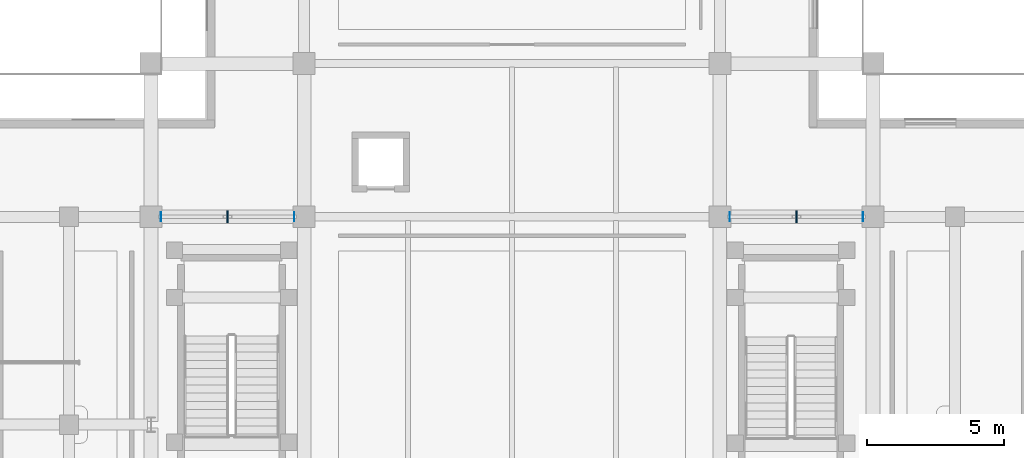
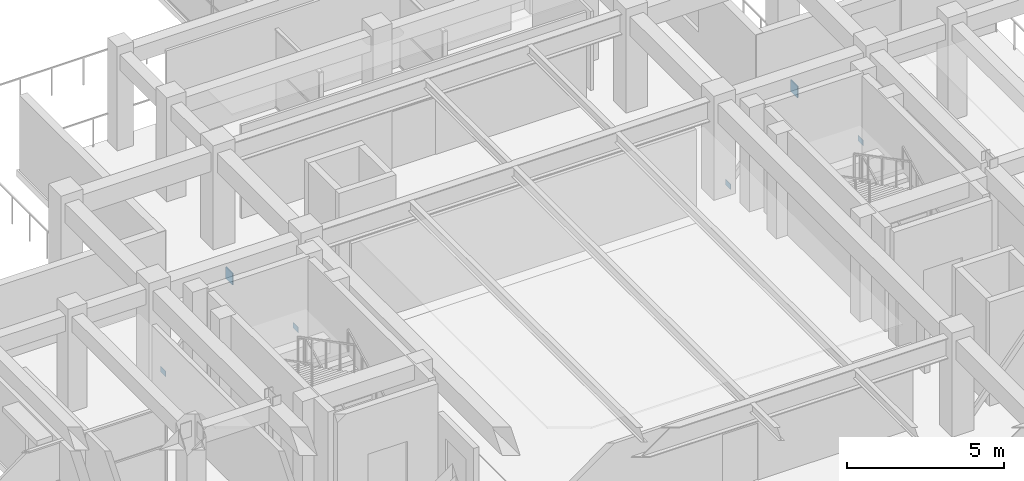
# One storey, part 46 of 72: 6 plates.
"""IFC4 building model written with IfcOpenShell, lengths in metres."""

from ifc_helpers import new_model, si_unit, direction, frame, origin, origin_2d, place, context, subcontext, project, spatial, rectangle, extrude, material, layer, layer_set, type_object, element, save


model = new_model("IFC4")

# Units and contexts
model_context = context("Model", 3, precision=1e-05, world=origin(), true_north=direction((0.0, 1.0)))
body_context = subcontext(model_context, "Body", "Model", "MODEL_VIEW")
ifc_project = project(units=[si_unit("LENGTHUNIT", "METRE"), si_unit("AREAUNIT", "SQUARE_METRE"), si_unit("VOLUMEUNIT", "CUBIC_METRE"), si_unit("PLANEANGLEUNIT", "RADIAN"), si_unit("MASSUNIT", "GRAM", prefix="KILO")], contexts=[model_context])

# Site, building, storey
site_placement = place(None, origin())
site = spatial("IfcSite", under=ifc_project, at=site_placement, CompositionType="ELEMENT")
building_placement = place(site_placement, origin())
building = spatial("IfcBuilding", under=site, at=building_placement, Name="Saryqyr Civic Hall", CompositionType="ELEMENT")
storey_placement = place(building_placement, frame((0.0, 0.0, 17.25)))
storey = spatial("IfcBuildingStorey", under=building, at=storey_placement, Name="L04", CompositionType="ELEMENT", Elevation=17.25)

# Plates
ifc_material = material(Name="Steel S355", Category="steel")
ifc_layer_1 = layer(ifc_material, 0.01611328125, Name="Steel S355")
ifc_layer_set_1 = layer_set([ifc_layer_1], Name="Steel S355")
plate_type_1 = type_object("IfcPlateType", Name="STR-PLT-CAP16", PredefinedType="USERDEFINED", material=ifc_layer_set_1)
for number, where, z_axis, x_axis, name in (
    (1, (44.159912109375, 91.60009765625, 0.01025390625), (0.0, 0.0, 1.0), (1.0, 0.0, 0.0), "Hollow section end cap V1-BRCAP-3A0-L04"),
    (2, (49.0400390625, 91.60009765625, 0.01025390625), (0.0, 0.0, 1.0), (1.0, 0.0, 0.0), "Hollow section end cap V1-BRCAP-3B0-L04"),
    (3, (64.9599609375, 91.60009765625, 0.01025390625), (0.0, 0.0, 1.0), (1.0, 0.0, 0.0), "Hollow section end cap V1-BRCAP-4A0-L04"),
    (4, (69.840087890625, 91.60009765625, 0.01025390625), (0.0, 0.0, 1.0), (1.0, 0.0, 0.0), "Hollow section end cap V1-BRCAP-4B0-L04"),
):
    element("IfcPlate", number, at=place(storey_placement, frame(where, z_axis=z_axis, x_axis=x_axis)), inside=storey, type_object=plate_type_1, Name=name, ObjectType="FLANGE_PLATE", PredefinedType="USERDEFINED", context=body_context, shape_type="SweptSolid", body=[
        extrude(rectangle(XDim=0.01611328125, YDim=0.320068359375, at=origin_2d()), origin(), (0.0, 0.0, 1.0), 0.219970703125),
    ])
ifc_layer_2 = layer(ifc_material, 0.0400390625, Name="Steel S355")
ifc_layer_set_2 = layer_set([ifc_layer_2], Name="Steel S355")
plate_type_2 = type_object("IfcPlateType", Name="STR-PLT-GUS40", PredefinedType="USERDEFINED", material=ifc_layer_set_2)
for number, where, z_axis, x_axis, name in (
    (5, (46.60009765625, 91.60009765625, 2.77001953125), (0.0, 0.0, 1.0), (1.0, 0.0, 0.0), "Hollow section end cap V1-BRGUS-3-L04"),
    (6, (67.39990234375, 91.60009765625, 2.77001953125), (0.0, 0.0, 1.0), (1.0, 0.0, 0.0), "Hollow section end cap V1-BRGUS-4-L04"),
):
    element("IfcPlate", number, at=place(storey_placement, frame(where, z_axis=z_axis, x_axis=x_axis)), inside=storey, type_object=plate_type_2, Name=name, ObjectType="FLANGE_PLATE", PredefinedType="USERDEFINED", context=body_context, shape_type="SweptSolid", body=[
        extrude(rectangle(XDim=0.0400390625, YDim=0.43994140625, at=origin_2d()), origin(), (0.0, 0.0, 1.0), 0.43994140625),
    ])

save(model, "model.ifc")
